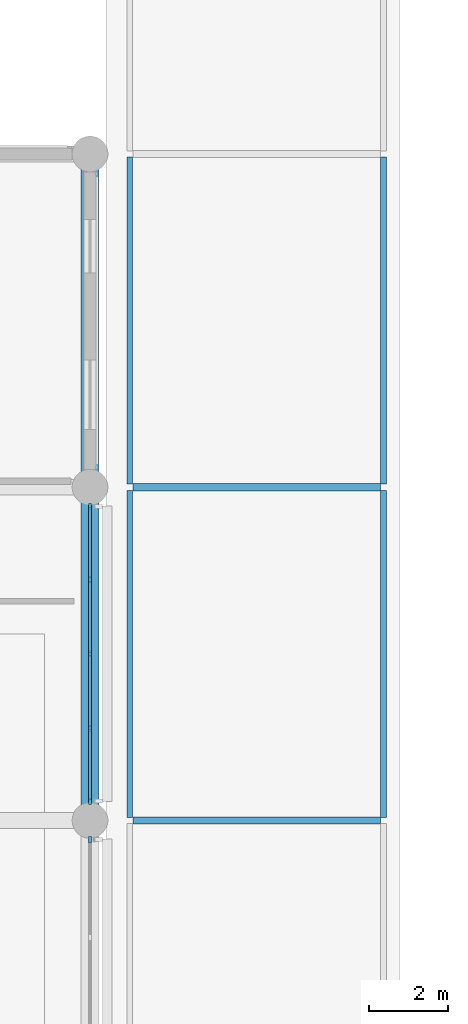
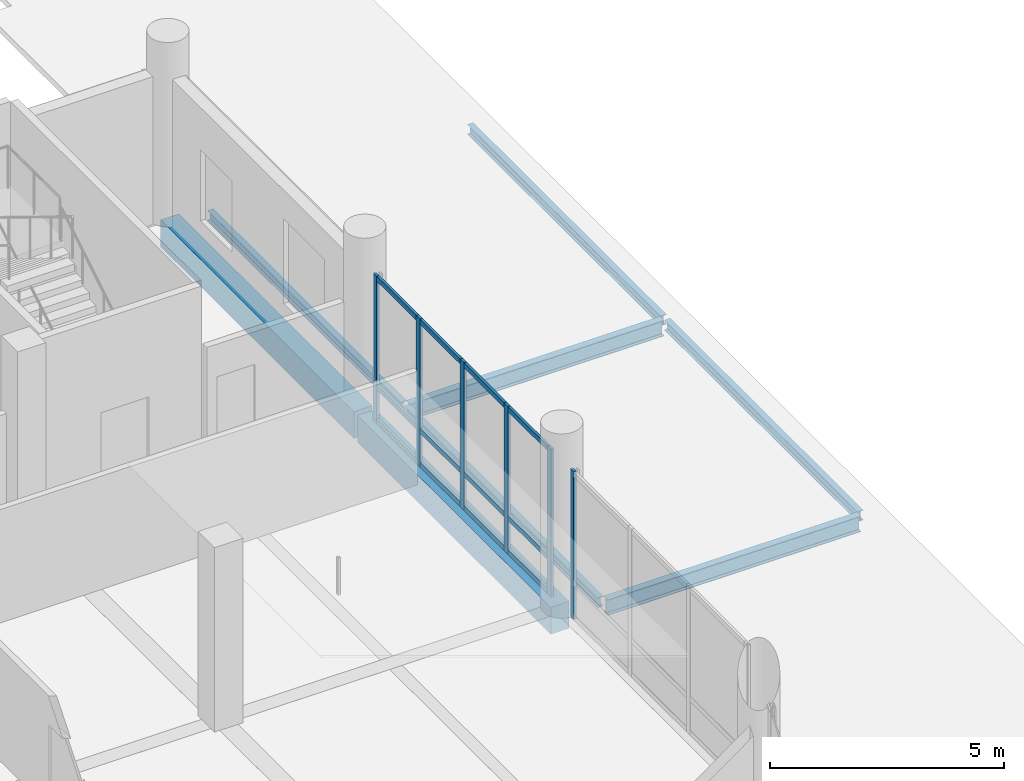
# One storey, part 18 of 128: 18 members, 8 beams, 2 elements without a shape of their own.
"""IFC4 building model written with IfcOpenShell, lengths in metres."""

from ifc_helpers import new_model, si_unit, direction, frame, origin, origin_2d, place, context, subcontext, project, spatial, rectangle, i_section, extrude, material, layer, layer_set, material_profile, profile_set, type_object, element, aggregate, save


model = new_model("IFC4")

# Units and contexts
model_context = context("Model", 3, precision=1e-05, world=origin(), true_north=direction((0.0, 1.0)))
body_context = subcontext(model_context, "Body", "Model", "MODEL_VIEW")
ifc_project = project(units=[si_unit("LENGTHUNIT", "METRE"), si_unit("AREAUNIT", "SQUARE_METRE"), si_unit("VOLUMEUNIT", "CUBIC_METRE"), si_unit("PLANEANGLEUNIT", "RADIAN"), si_unit("MASSUNIT", "GRAM", prefix="KILO")], contexts=[model_context])

# Site, building, storey
site_placement = place(None, origin())
site = spatial("IfcSite", under=ifc_project, at=site_placement, CompositionType="ELEMENT")
building_placement = place(site_placement, origin())
building = spatial("IfcBuilding", under=site, at=building_placement, Name="Telukmera Botanical Conservatory", CompositionType="ELEMENT")
storey_placement = place(building_placement, frame((0.0, 0.0, 5.39990234375)))
storey = spatial("IfcBuildingStorey", under=building, at=storey_placement, Name="L01", CompositionType="ELEMENT", Elevation=5.39990234375)

# Beams
ifc_material_1 = material(Name="Concrete C40/50", Category="concrete")
ifc_material_profile_1 = material_profile(ifc_material_1, rectangle(XDim=0.449951171875, YDim=0.699951171875, at=origin_2d()), Name="RC 450x700")
ifc_profile_set_1 = profile_set([ifc_material_profile_1], Name="Concrete C40/50")
beam_type_1 = type_object("IfcBeamType", Name="Beam_B15", PredefinedType="BEAM", material=ifc_profile_set_1)
for number, where, z_axis, x_axis, name in (
    (1, (42.0, 58.080078125, -0.349853515625), (0.0, 1.0, 0.0), (-1.0, 0.0, 0.0), "Visitor Wing Transverse Beam L01"),
    (2, (42.0, 66.47998046875, -0.349853515625), (0.0, 1.0, 0.0), (-1.0, 0.0, 0.0), "Visitor Wing Transverse Beam L01"),
):
    element("IfcBeam", number, at=place(storey_placement, frame(where, z_axis=z_axis, x_axis=x_axis)), inside=storey, type_object=beam_type_1, Name=name, PredefinedType="BEAM", context=body_context, shape_type="SweptSolid", body=[
        extrude(rectangle(XDim=0.449951171875, YDim=0.699951171875, at=origin_2d()), origin(), (0.0, 0.0, 1.0), 8.239990234375),
    ])
ifc_material_2 = material(Name="Steel S355", Category="steel")
ifc_material_profile_2 = material_profile(ifc_material_2, i_section(OverallWidth=0.1787109375, OverallDepth=0.409423828125, WebThickness=0.0087890625, FlangeThickness=0.014404296875, FilletRadius=0.01025390625, at=origin_2d()), Name="UB 406x178x67")
ifc_profile_set_2 = profile_set([ifc_material_profile_2], Name="Steel S355")
beam_type_2 = type_object("IfcBeamType", Name="Beam_SB4", PredefinedType="BEAM", material=ifc_profile_set_2)
for number, where, z_axis, x_axis, name in (
    (3, (43.080078125, 58.0, -0.364501953125), (1.0, 0.0, 0.0), (0.0, 1.0, 0.0), "Canopy Steel Girder west_arcade"),
    (4, (43.080078125, 66.39990234375, -0.364501953125), (1.0, 0.0, 0.0), (0.0, 1.0, 0.0), "Canopy Steel Girder west_arcade"),
):
    element("IfcBeam", number, at=place(storey_placement, frame(where, z_axis=z_axis, x_axis=x_axis)), inside=storey, type_object=beam_type_2, Name=name, PredefinedType="BEAM", context=body_context, shape_type="SweptSolid", body=[
        extrude(i_section(OverallWidth=0.1787109375, OverallDepth=0.409423828125, WebThickness=0.0087890625, FlangeThickness=0.014404296875, FilletRadius=0.01025390625, at=origin_2d()), origin(), (0.0, 0.0, 1.0), 6.239990234375),
    ])
ifc_material_profile_3 = material_profile(ifc_material_2, i_section(OverallWidth=0.146484375, OverallDepth=0.256103515625, WebThickness=0.00634765625, FlangeThickness=0.010986328125, FilletRadius=0.007568359375, at=origin_2d()), Name="UB 254x146x37")
ifc_profile_set_3 = profile_set([ifc_material_profile_3], Name="Steel S355")
beam_type_3 = type_object("IfcBeamType", Name="Beam_SB7", PredefinedType="JOIST", material=ifc_profile_set_3)
for number, where, z_axis, x_axis, name in (
    (5, (43.0, 58.080078125, -0.287841796875), (0.0, 1.0, 0.0), (-1.0, 0.0, 0.0), "Canopy Steel Purlin west_arcade"),
    (6, (43.0, 66.47998046875, -0.287841796875), (0.0, 1.0, 0.0), (-1.0, 0.0, 0.0), "Canopy Steel Purlin west_arcade"),
    (7, (49.39990234375, 58.080078125, -0.287841796875), (0.0, 1.0, 0.0), (-1.0, 0.0, 0.0), "Canopy Steel Purlin west_arcade"),
    (8, (49.39990234375, 66.47998046875, -0.287841796875), (0.0, 1.0, 0.0), (-1.0, 0.0, 0.0), "Canopy Steel Purlin west_arcade"),
):
    element("IfcBeam", number, at=place(storey_placement, frame(where, z_axis=z_axis, x_axis=x_axis)), inside=storey, type_object=beam_type_3, Name=name, PredefinedType="JOIST", context=body_context, shape_type="SweptSolid", body=[
        extrude(i_section(OverallWidth=0.146484375, OverallDepth=0.256103515625, WebThickness=0.00634765625, FlangeThickness=0.010986328125, FilletRadius=0.007568359375, at=origin_2d()), origin(), (0.0, 0.0, 1.0), 8.239990234375),
    ])

# Curtain wall, member
ifc_material_3 = material(Name="Anodised aluminium 6063-T6", Category="aluminium")
ifc_layer_1 = layer(ifc_material_3, 0.179931640625)
ifc_layer_set_1 = layer_set([ifc_layer_1], Name="Anodised aluminium 6063-T6")
curtain_wall_type_1 = type_object("IfcCurtainWallType", Name="Visitor Gallery Second Floor Curtain Wall 2400 Mod", PredefinedType="USERDEFINED", material=ifc_layer_set_1)
curtain_wall_1_placement = place(storey_placement, origin())
curtain_wall_1 = element("IfcCurtainWall", 9, at=curtain_wall_1_placement, inside=storey, type_object=curtain_wall_type_1, Name="Unitised Curtain Wall CW09 V3:L01:E5", ObjectType="UNITISED CURTAIN WALL", PredefinedType="USERDEFINED")
ifc_material_profile_4 = material_profile(ifc_material_3, rectangle(XDim=0.06494140625, YDim=0.159912109375, at=origin_2d()), Name="ALU MULL 65x160")
ifc_profile_set_4 = profile_set([ifc_material_profile_4], Name="Anodised aluminium 6063-T6")
member_type_1 = type_object("IfcMemberType", Name="Curtain Wall Extruded Mullion 65x160", PredefinedType="MULLION", material=ifc_profile_set_4)
member_1_placement = place(storey_placement, frame((42.0, 57.515380859375, 0.0), z_axis=(0.0, 0.0, 1.0), x_axis=(-1.0, 0.0, 0.0)))
member_1 = element("IfcMember", 10, at=member_1_placement, type_object=member_type_1, Name="CW09 mullion 4", PredefinedType="MULLION", context=body_context, shape_type="SweptSolid", body=[
    extrude(rectangle(XDim=0.06494140625, YDim=0.159912109375, at=origin_2d()), origin(), (0.0, 0.0, 1.0), 3.85009765625),
])
aggregate(curtain_wall_1, [member_1])

# Curtain wall, members
ifc_layer_2 = layer(ifc_material_3, 0.179931640625)
ifc_layer_set_2 = layer_set([ifc_layer_2], Name="Anodised aluminium 6063-T6")
curtain_wall_type_2 = type_object("IfcCurtainWallType", Name="Visitor Gallery First Floor Curtain Wall 1800 Mod", PredefinedType="USERDEFINED", material=ifc_layer_set_2)
curtain_wall_2_placement = place(storey_placement, origin())
curtain_wall_2 = element("IfcCurtainWall", 11, at=curtain_wall_2_placement, inside=storey, type_object=curtain_wall_type_2, Name="Unitised Curtain Wall CW08 V3:L01:E6", ObjectType="UNITISED CURTAIN WALL", PredefinedType="USERDEFINED")
member_2_placement = place(storey_placement, frame((42.0, 58.484619140625, 0.0), z_axis=(0.0, 0.0, 1.0), x_axis=(-1.0, 0.0, 0.0)))
member_2 = element("IfcMember", 12, at=member_2_placement, type_object=member_type_1, Name="CW08 mullion 1", PredefinedType="MULLION", context=body_context, shape_type="SweptSolid", body=[
    extrude(rectangle(XDim=0.06494140625, YDim=0.159912109375, at=origin_2d()), origin(), (0.0, 0.0, 1.0), 3.85009765625),
])
member_3_placement = place(storey_placement, frame((42.0, 60.325927734375, 0.0), z_axis=(0.0, 0.0, 1.0), x_axis=(-1.0, 0.0, 0.0)))
member_3 = element("IfcMember", 13, at=member_3_placement, type_object=member_type_1, Name="CW08 mullion 2", PredefinedType="MULLION", context=body_context, shape_type="SweptSolid", body=[
    extrude(rectangle(XDim=0.06494140625, YDim=0.159912109375, at=origin_2d()), origin(), (0.0, 0.0, 1.0), 3.85009765625),
])
member_4_placement = place(storey_placement, frame((42.0, 62.199951171875, 0.0), z_axis=(0.0, 0.0, 1.0), x_axis=(-1.0, 0.0, 0.0)))
member_4 = element("IfcMember", 14, at=member_4_placement, type_object=member_type_1, Name="CW08 mullion 3", PredefinedType="MULLION", context=body_context, shape_type="SweptSolid", body=[
    extrude(rectangle(XDim=0.06494140625, YDim=0.159912109375, at=origin_2d()), origin(), (0.0, 0.0, 1.0), 3.85009765625),
])
member_5_placement = place(storey_placement, frame((42.0, 64.073974609375, 0.0), z_axis=(0.0, 0.0, 1.0), x_axis=(-1.0, 0.0, 0.0)))
member_5 = element("IfcMember", 15, at=member_5_placement, type_object=member_type_1, Name="CW08 mullion 4", PredefinedType="MULLION", context=body_context, shape_type="SweptSolid", body=[
    extrude(rectangle(XDim=0.06494140625, YDim=0.159912109375, at=origin_2d()), origin(), (0.0, 0.0, 1.0), 3.85009765625),
])
member_6_placement = place(storey_placement, frame((42.0, 65.91552734375, 0.0), z_axis=(0.0, 0.0, 1.0), x_axis=(-1.0, 0.0, 0.0)))
member_6 = element("IfcMember", 16, at=member_6_placement, type_object=member_type_1, Name="CW08 mullion 5", PredefinedType="MULLION", context=body_context, shape_type="SweptSolid", body=[
    extrude(rectangle(XDim=0.06494140625, YDim=0.159912109375, at=origin_2d()), origin(), (0.0, 0.0, 1.0), 3.85009765625),
])
ifc_material_profile_5 = material_profile(ifc_material_3, rectangle(XDim=0.06494140625, YDim=0.1298828125, at=origin_2d()), Name="ALU TRAN 65x130")
ifc_profile_set_5 = profile_set([ifc_material_profile_5], Name="Anodised aluminium 6063-T6")
member_type_2 = type_object("IfcMemberType", Name="Curtain Wall Extruded Transom 65x130", PredefinedType="USERDEFINED", material=ifc_profile_set_5)
member_7_placement = place(storey_placement, frame((42.0, 58.51708984375, 0.065185546875), z_axis=(0.0, 1.0, 0.0), x_axis=(-1.0, 0.0, 0.0)))
member_7 = element("IfcMember", 17, at=member_7_placement, type_object=member_type_2, Name="CW08 transom 1.1", ObjectType="TRANSOM", PredefinedType="USERDEFINED", context=body_context, shape_type="SweptSolid", body=[
    extrude(rectangle(XDim=0.06494140625, YDim=0.1298828125, at=origin_2d()), origin(), (0.0, 0.0, 1.0), 1.7763671875),
])
member_8_placement = place(storey_placement, frame((42.0, 58.51708984375, 0.9501953125), z_axis=(0.0, 1.0, 0.0), x_axis=(-1.0, 0.0, 0.0)))
member_8 = element("IfcMember", 18, at=member_8_placement, type_object=member_type_2, Name="CW08 transom 1.2", ObjectType="TRANSOM", PredefinedType="USERDEFINED", context=body_context, shape_type="SweptSolid", body=[
    extrude(rectangle(XDim=0.06494140625, YDim=0.1298828125, at=origin_2d()), origin(), (0.0, 0.0, 1.0), 1.7763671875),
])
member_9_placement = place(storey_placement, frame((42.0, 58.51708984375, 3.78515625), z_axis=(0.0, 1.0, 0.0), x_axis=(-1.0, 0.0, 0.0)))
member_9 = element("IfcMember", 19, at=member_9_placement, type_object=member_type_2, Name="CW08 transom 1.3", ObjectType="TRANSOM", PredefinedType="USERDEFINED", context=body_context, shape_type="SweptSolid", body=[
    extrude(rectangle(XDim=0.06494140625, YDim=0.1298828125, at=origin_2d()), origin(), (0.0, 0.0, 1.0), 1.7763671875),
])
member_10_placement = place(storey_placement, frame((42.0, 60.3583984375, 0.065185546875), z_axis=(0.0, 1.0, 0.0), x_axis=(-1.0, 0.0, 0.0)))
member_10 = element("IfcMember", 20, at=member_10_placement, type_object=member_type_2, Name="CW08 transom 2.1", ObjectType="TRANSOM", PredefinedType="USERDEFINED", context=body_context, shape_type="SweptSolid", body=[
    extrude(rectangle(XDim=0.06494140625, YDim=0.1298828125, at=origin_2d()), origin(), (0.0, 0.0, 1.0), 1.80908203125),
])
member_11_placement = place(storey_placement, frame((42.0, 60.3583984375, 0.9501953125), z_axis=(0.0, 1.0, 0.0), x_axis=(-1.0, 0.0, 0.0)))
member_11 = element("IfcMember", 21, at=member_11_placement, type_object=member_type_2, Name="CW08 transom 2.2", ObjectType="TRANSOM", PredefinedType="USERDEFINED", context=body_context, shape_type="SweptSolid", body=[
    extrude(rectangle(XDim=0.06494140625, YDim=0.1298828125, at=origin_2d()), origin(), (0.0, 0.0, 1.0), 1.80908203125),
])
member_12_placement = place(storey_placement, frame((42.0, 60.3583984375, 3.78515625), z_axis=(0.0, 1.0, 0.0), x_axis=(-1.0, 0.0, 0.0)))
member_12 = element("IfcMember", 22, at=member_12_placement, type_object=member_type_2, Name="CW08 transom 2.3", ObjectType="TRANSOM", PredefinedType="USERDEFINED", context=body_context, shape_type="SweptSolid", body=[
    extrude(rectangle(XDim=0.06494140625, YDim=0.1298828125, at=origin_2d()), origin(), (0.0, 0.0, 1.0), 1.80908203125),
])
member_13_placement = place(storey_placement, frame((42.0, 62.232421875, 0.065185546875), z_axis=(0.0, 1.0, 0.0), x_axis=(-1.0, 0.0, 0.0)))
member_13 = element("IfcMember", 23, at=member_13_placement, type_object=member_type_2, Name="CW08 transom 3.1", ObjectType="TRANSOM", PredefinedType="USERDEFINED", context=body_context, shape_type="SweptSolid", body=[
    extrude(rectangle(XDim=0.06494140625, YDim=0.1298828125, at=origin_2d()), origin(), (0.0, 0.0, 1.0), 1.80908203125),
])
member_14_placement = place(storey_placement, frame((42.0, 62.232421875, 0.9501953125), z_axis=(0.0, 1.0, 0.0), x_axis=(-1.0, 0.0, 0.0)))
member_14 = element("IfcMember", 24, at=member_14_placement, type_object=member_type_2, Name="CW08 transom 3.2", ObjectType="TRANSOM", PredefinedType="USERDEFINED", context=body_context, shape_type="SweptSolid", body=[
    extrude(rectangle(XDim=0.06494140625, YDim=0.1298828125, at=origin_2d()), origin(), (0.0, 0.0, 1.0), 1.80908203125),
])
member_15_placement = place(storey_placement, frame((42.0, 62.232421875, 3.78515625), z_axis=(0.0, 1.0, 0.0), x_axis=(-1.0, 0.0, 0.0)))
member_15 = element("IfcMember", 25, at=member_15_placement, type_object=member_type_2, Name="CW08 transom 3.3", ObjectType="TRANSOM", PredefinedType="USERDEFINED", context=body_context, shape_type="SweptSolid", body=[
    extrude(rectangle(XDim=0.06494140625, YDim=0.1298828125, at=origin_2d()), origin(), (0.0, 0.0, 1.0), 1.80908203125),
])
member_16_placement = place(storey_placement, frame((42.0, 64.1064453125, 0.065185546875), z_axis=(0.0, 1.0, 0.0), x_axis=(-1.0, 0.0, 0.0)))
member_16 = element("IfcMember", 26, at=member_16_placement, type_object=member_type_2, Name="CW08 transom 4.1", ObjectType="TRANSOM", PredefinedType="USERDEFINED", context=body_context, shape_type="SweptSolid", body=[
    extrude(rectangle(XDim=0.06494140625, YDim=0.1298828125, at=origin_2d()), origin(), (0.0, 0.0, 1.0), 1.776611328125),
])
member_17_placement = place(storey_placement, frame((42.0, 64.1064453125, 0.9501953125), z_axis=(0.0, 1.0, 0.0), x_axis=(-1.0, 0.0, 0.0)))
member_17 = element("IfcMember", 27, at=member_17_placement, type_object=member_type_2, Name="CW08 transom 4.2", ObjectType="TRANSOM", PredefinedType="USERDEFINED", context=body_context, shape_type="SweptSolid", body=[
    extrude(rectangle(XDim=0.06494140625, YDim=0.1298828125, at=origin_2d()), origin(), (0.0, 0.0, 1.0), 1.776611328125),
])
member_18_placement = place(storey_placement, frame((42.0, 64.1064453125, 3.78515625), z_axis=(0.0, 1.0, 0.0), x_axis=(-1.0, 0.0, 0.0)))
member_18 = element("IfcMember", 28, at=member_18_placement, type_object=member_type_2, Name="CW08 transom 4.3", ObjectType="TRANSOM", PredefinedType="USERDEFINED", context=body_context, shape_type="SweptSolid", body=[
    extrude(rectangle(XDim=0.06494140625, YDim=0.1298828125, at=origin_2d()), origin(), (0.0, 0.0, 1.0), 1.776611328125),
])
aggregate(curtain_wall_2, [member_2, member_3, member_4, member_5, member_6, member_7, member_8, member_9, member_10, member_11, member_12, member_13, member_14, member_15, member_16, member_17, member_18])

save(model, "model.ifc")
